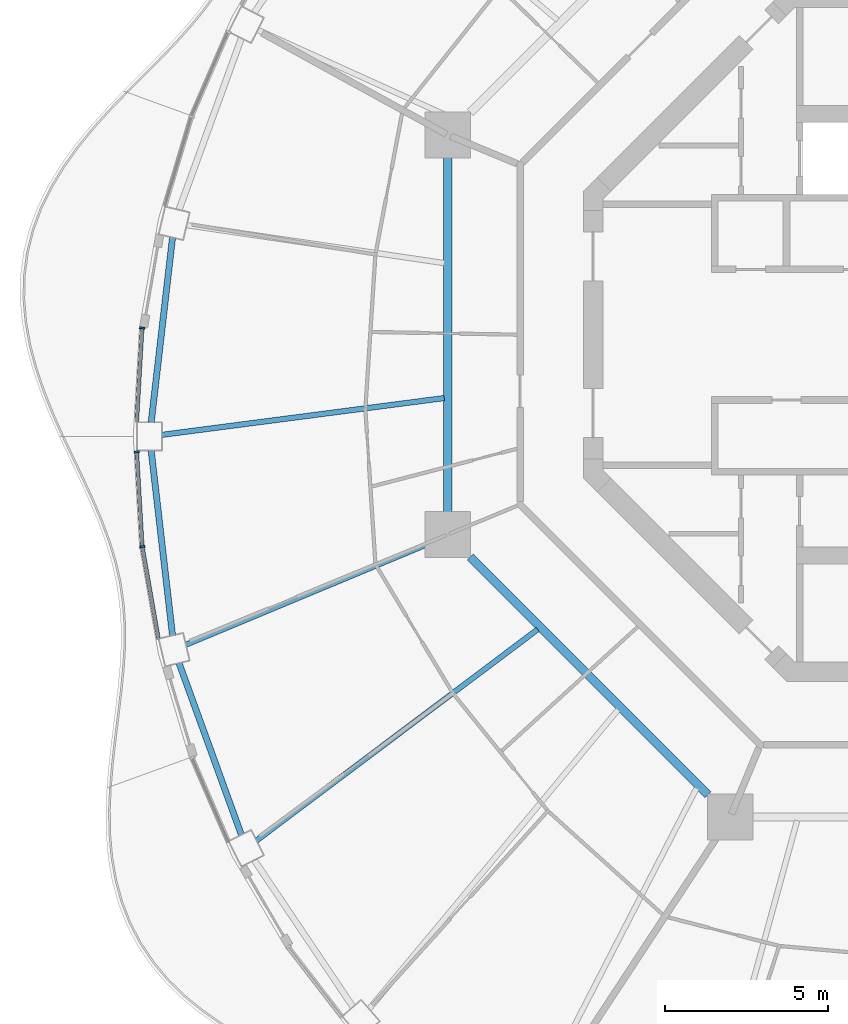
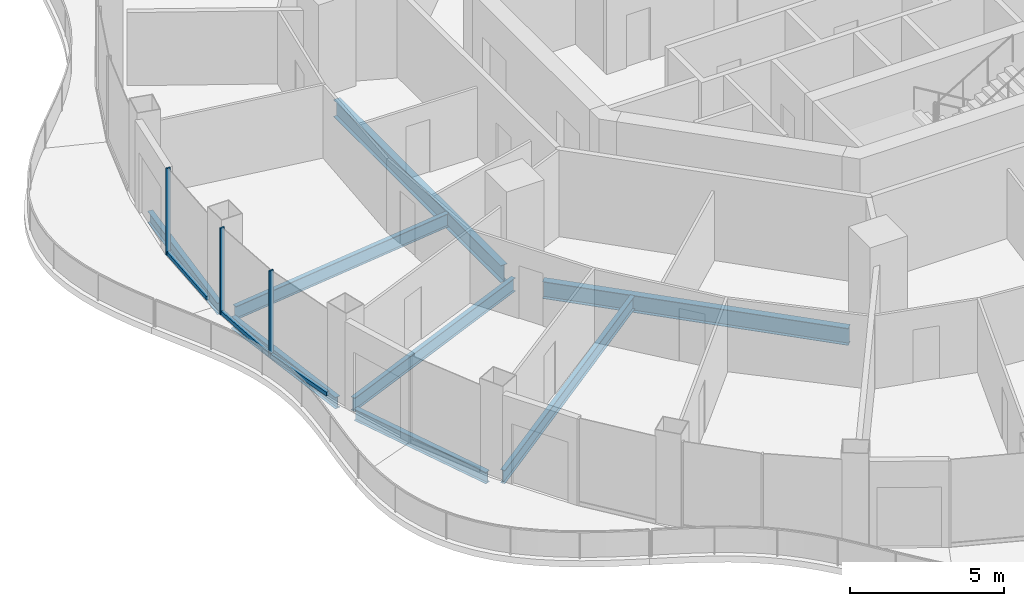
# One storey, part 3 of 17: 8 beams, 6 members, 3 elements without a shape of their own.
"""IFC4 building model written with IfcOpenShell, lengths in metres."""

from ifc_helpers import new_model, si_unit, direction, frame, origin, origin_2d, place, context, subcontext, project, spatial, rectangle, i_section, extrude, material, layer, layer_set, material_profile, profile_set, type_object, element, aggregate, save


model = new_model("IFC4")

# Units and contexts
model_context = context("Model", 3, precision=1e-05, world=origin(), true_north=direction((0.0, 1.0)))
body_context = subcontext(model_context, "Body", "Model", "MODEL_VIEW")
ifc_project = project(units=[si_unit("LENGTHUNIT", "METRE"), si_unit("AREAUNIT", "SQUARE_METRE"), si_unit("VOLUMEUNIT", "CUBIC_METRE"), si_unit("PLANEANGLEUNIT", "RADIAN"), si_unit("MASSUNIT", "GRAM", prefix="KILO")], contexts=[model_context])

# Site, building, storey
site_placement = place(None, origin())
site = spatial("IfcSite", under=ifc_project, at=site_placement, CompositionType="ELEMENT")
building_placement = place(site_placement, origin())
building = spatial("IfcBuilding", under=site, at=building_placement, Name="Nagisa Residences", CompositionType="ELEMENT")
storey_placement = place(building_placement, frame((0.0, 0.0, 269.60009765625)))
storey = spatial("IfcBuildingStorey", under=building, at=storey_placement, Name="L68", CompositionType="ELEMENT", Elevation=269.60009765625)

# Curtain wall, member
ifc_material_1 = material(Name="Concrete-coloured aluminium curtain wall system", Category="concrete")
ifc_layer = layer(ifc_material_1, 0.159912109375)
ifc_layer_set = layer_set([ifc_layer], Name="CW1 CURTAIN WALL")
curtain_wall_type = type_object("IfcCurtainWallType", Name="CW1 CURTAIN WALL", PredefinedType="NOTDEFINED", material=ifc_layer_set)
curtain_wall_1_placement = place(storey_placement, origin())
curtain_wall_1 = element("IfcCurtainWall", 1, at=curtain_wall_1_placement, inside=storey, type_object=curtain_wall_type, Name="cw:CW1:L68:23", PredefinedType="NOTDEFINED")
ifc_material_2 = material(Name="Concrete-coloured aluminium", Category="concrete")
ifc_material_profile_1 = material_profile(ifc_material_2, rectangle(XDim=0.159912109375, YDim=0.06005859375, at=origin_2d()), Name="CW1 MULLION 160x60")
ifc_profile_set_1 = profile_set([ifc_material_profile_1], Name="Concrete-coloured aluminium")
member_type_1 = type_object("IfcMemberType", Name="CW1 MULLION 160x60", PredefinedType="MULLION", material=ifc_profile_set_1)
member_1_placement = place(storey_placement, frame((-24.1484375, 0.20751953125, 0.0), z_axis=(0.0, 0.0, 1.0), x_axis=(0.998345305184, -0.057503492216, 0.0)))
member_1 = element("IfcMember", 2, at=member_1_placement, type_object=member_type_1, Name="CW1 mullion", PredefinedType="MULLION", context=body_context, shape_type="SweptSolid", body=[
    extrude(rectangle(XDim=0.159912109375, YDim=0.06005859375, at=origin_2d()), origin(), (0.0, 0.0, 1.0), 3.43994140625),
])

curtain_wall_2_placement = place(storey_placement, origin())
curtain_wall_2 = element("IfcCurtainWall", 3, at=curtain_wall_2_placement, inside=storey, type_object=curtain_wall_type, Name="cw:CW1:L68:24", PredefinedType="NOTDEFINED")
member_2_placement = place(storey_placement, frame((-24.3125, -3.59228515625, 0.0), z_axis=(0.0, 0.0, 1.0), x_axis=(0.998345305184, 0.057503492216, 0.0)))
member_2 = element("IfcMember", 4, at=member_2_placement, type_object=member_type_1, Name="CW1 mullion", PredefinedType="MULLION", context=body_context, shape_type="SweptSolid", body=[
    extrude(rectangle(XDim=0.159912109375, YDim=0.06005859375, at=origin_2d()), origin(), (0.0, 0.0, 1.0), 3.43994140625),
])

curtain_wall_3_placement = place(storey_placement, origin())
curtain_wall_3 = element("IfcCurtainWall", 5, at=curtain_wall_3_placement, inside=storey, type_object=curtain_wall_type, Name="cw:CW1:L68:25", PredefinedType="NOTDEFINED")
member_3_placement = place(storey_placement, frame((-24.142578125, -6.4931640625, 0.0), z_axis=(0.0, 0.0, 1.0), x_axis=(0.985063604377, 0.172190868898, 0.0)))
member_3 = element("IfcMember", 6, at=member_3_placement, type_object=member_type_1, Name="CW1 mullion", PredefinedType="MULLION", context=body_context, shape_type="SweptSolid", body=[
    extrude(rectangle(XDim=0.159912109375, YDim=0.06005859375, at=origin_2d()), origin(), (0.0, 0.0, 1.0), 3.43994140625),
])

# Member
ifc_material_3 = material(Name="Concrete-coloured aluminium", Category="concrete")
ifc_material_profile_2 = material_profile(ifc_material_3, rectangle(XDim=0.1201171875, YDim=0.14990234375, at=origin_2d()), Name="CW1 TRANSOM 120x150")
ifc_profile_set_2 = profile_set([ifc_material_profile_2], Name="Concrete-coloured aluminium")
member_type_2 = type_object("IfcMemberType", Name="CW1 TRANSOM 120x150", PredefinedType="USERDEFINED", material=ifc_profile_set_2)
member_4_placement = place(storey_placement, frame((-24.146728515625, 0.237548828125, 0.074951171875), z_axis=(-0.057445660401, -0.998348634547, 0.0), x_axis=(0.998348634547, -0.057445660401, 0.0)))
member_4 = element("IfcMember", 7, at=member_4_placement, type_object=member_type_2, Name="CW1 transom", ObjectType="TRANSOM", PredefinedType="USERDEFINED", context=body_context, shape_type="SweptSolid", body=[
    extrude(rectangle(XDim=0.1201171875, YDim=0.14990234375, at=origin_2d()), origin(), (0.0, 0.0, 1.0), 2.91552734375),
])

aggregate(curtain_wall_1, [member_1, member_4])

member_5_placement = place(storey_placement, frame((-24.314208984375, -3.562255859375, 0.074951171875), z_axis=(0.057445660401, -0.998348634547, 0.0), x_axis=(0.998348634547, 0.057445660401, 0.0)))
member_5 = element("IfcMember", 8, at=member_5_placement, type_object=member_type_2, Name="CW1 transom", ObjectType="TRANSOM", PredefinedType="USERDEFINED", context=body_context, shape_type="SweptSolid", body=[
    extrude(rectangle(XDim=0.1201171875, YDim=0.14990234375, at=origin_2d()), origin(), (0.0, 0.0, 1.0), 2.91552734375),
])

aggregate(curtain_wall_2, [member_2, member_5])

member_6_placement = place(storey_placement, frame((-24.147705078125, -6.463623046875, 0.074951171875), z_axis=(0.172182411767, -0.985065082661, 0.0), x_axis=(0.985065082661, 0.172182411767, 0.0)))
member_6 = element("IfcMember", 9, at=member_6_placement, type_object=member_type_2, Name="CW1 transom", ObjectType="TRANSOM", PredefinedType="USERDEFINED", context=body_context, shape_type="SweptSolid", body=[
    extrude(rectangle(XDim=0.1201171875, YDim=0.14990234375, at=origin_2d()), origin(), (0.0, 0.0, 1.0), 2.902587890625),
])

aggregate(curtain_wall_3, [member_3, member_6])

# Beams
ifc_material_4 = material(Name="Steel ASTM A572 Gr 50", Category="steel")
ifc_material_profile_3 = material_profile(ifc_material_4, i_section(OverallWidth=0.2529296875, OverallDepth=0.677978515625, WebThickness=0.01171875, FlangeThickness=0.016357421875, at=origin_2d()), Name="W690x125")
ifc_profile_set_3 = profile_set([ifc_material_profile_3], Name="Steel ASTM A572 Gr 50")
beam_type_1 = type_object("IfcBeamType", Name="Inner ring beam W690x125", PredefinedType="BEAM", material=ifc_profile_set_3)
beam_1_placement = place(storey_placement, frame((-14.781982421875, 5.44287109375, -0.59912109375), z_axis=(0.0, -1.0, 0.0), x_axis=(1.0, 0.0, 0.0)))
element("IfcBeam", 10, at=beam_1_placement, inside=storey, type_object=beam_type_1, Name="beam:L68:ib4", PredefinedType="BEAM", context=body_context, shape_type="SweptSolid", body=[
    extrude(i_section(OverallWidth=0.2529296875, OverallDepth=0.677978515625, WebThickness=0.01171875, FlangeThickness=0.016357421875, at=origin_2d()), origin(), (0.0, 0.0, 1.0), 10.8857421875),
])
beam_2_placement = place(storey_placement, frame((-14.09619140625, -6.808837890625, -0.59912109375), z_axis=(0.707106781187, -0.707106781187, 0.0), x_axis=(0.707106781187, 0.707106781187, 0.0)))
element("IfcBeam", 11, at=beam_2_placement, inside=storey, type_object=beam_type_1, Name="beam:L68:ib5", PredefinedType="BEAM", context=body_context, shape_type="SweptSolid", body=[
    extrude(i_section(OverallWidth=0.2529296875, OverallDepth=0.677978515625, WebThickness=0.01171875, FlangeThickness=0.016357421875, at=origin_2d()), origin(), (0.0, 0.0, 1.0), 10.305908203125),
])
ifc_material_5 = material(Name="Steel ASTM A572 Gr 50", Category="steel")
ifc_material_profile_4 = material_profile(ifc_material_5, i_section(OverallWidth=0.18994140625, OverallDepth=0.45703125, WebThickness=0.009033203125, FlangeThickness=0.014404296875, at=origin_2d()), Name="W460x74")
ifc_profile_set_4 = profile_set([ifc_material_profile_4], Name="Steel ASTM A572 Gr 50")
beam_type_2 = type_object("IfcBeamType", Name="Perimeter ring beam W460x74", PredefinedType="BEAM", material=ifc_profile_set_4)
for number, where, z_axis, x_axis, name in (
    (12, (-23.2158203125, 2.984619140625, -0.488525390625), (-0.114635468623, -0.993407624962, 0.0), (0.993407624962, -0.114635468623, 0.0), "beam:L68:pb12"),
    (13, (-23.870361328125, -3.5478515625, -0.488525390625), (0.114635468623, -0.993407624962, 0.0), (0.993407624962, 0.114635468623, 0.0), "beam:L68:pb13"),
):
    element("IfcBeam", number, at=place(storey_placement, frame(where, z_axis=z_axis, x_axis=x_axis)), inside=storey, type_object=beam_type_2, Name=name, PredefinedType="BEAM", context=body_context, shape_type="SweptSolid", body=[
        extrude(i_section(OverallWidth=0.18994140625, OverallDepth=0.45703125, WebThickness=0.009033203125, FlangeThickness=0.014404296875, at=origin_2d()), origin(), (0.0, 0.0, 1.0), 5.709716796875),
    ])
beam_3_placement = place(storey_placement, frame((-23.0185546875, -10.057373046875, -0.488525390625), z_axis=(0.341250304478, -0.9399724622, 0.0), x_axis=(0.9399724622, 0.341250304478, 0.0)))
element("IfcBeam", 14, at=beam_3_placement, inside=storey, type_object=beam_type_2, Name="beam:L68:pb14", PredefinedType="BEAM", context=body_context, shape_type="SweptSolid", body=[
    extrude(i_section(OverallWidth=0.18994140625, OverallDepth=0.45703125, WebThickness=0.009033203125, FlangeThickness=0.014404296875, at=origin_2d()), origin(), (0.0, 0.0, 1.0), 5.609619140625),
])
ifc_material_6 = material(Name="Steel ASTM A572 Gr 50", Category="steel")
ifc_material_profile_5 = material_profile(ifc_material_6, i_section(OverallWidth=0.166015625, OverallDepth=0.534912109375, WebThickness=0.01025390625, FlangeThickness=0.0166015625, at=origin_2d()), Name="W530x85")
ifc_profile_set_5 = profile_set([ifc_material_profile_5], Name="Steel ASTM A572 Gr 50")
beam_type_3 = type_object("IfcBeamType", Name="Radial beam W530x85", PredefinedType="BEAM", material=ifc_profile_set_5)
beam_4_placement = place(storey_placement, frame((-23.539794921875, -3.068115234375, -0.527587890625), z_axis=(0.991614605292, 0.129230315994, 0.0), x_axis=(-0.129230315994, 0.991614605292, 0.0)))
element("IfcBeam", 15, at=beam_4_placement, inside=storey, type_object=beam_type_3, Name="beam:L68:rb13", PredefinedType="BEAM", context=body_context, shape_type="SweptSolid", body=[
    extrude(i_section(OverallWidth=0.166015625, OverallDepth=0.534912109375, WebThickness=0.01025390625, FlangeThickness=0.0166015625, at=origin_2d()), origin(), (0.0, 0.0, 1.0), 8.724365234375),
])
beam_5_placement = place(storey_placement, frame((-22.810546875, -9.502197265625, -0.527587890625), z_axis=(0.92310713136, 0.384542876716, 0.0), x_axis=(-0.384542876716, 0.92310713136, 0.0)))
element("IfcBeam", 16, at=beam_5_placement, inside=storey, type_object=beam_type_3, Name="beam:L68:rb14", PredefinedType="BEAM", context=body_context, shape_type="SweptSolid", body=[
    extrude(i_section(OverallWidth=0.166015625, OverallDepth=0.534912109375, WebThickness=0.01025390625, FlangeThickness=0.0166015625, at=origin_2d()), origin(), (0.0, 0.0, 1.0), 8.607177734375),
])
beam_6_placement = place(storey_placement, frame((-20.647705078125, -15.505859375, -0.527587890625), z_axis=(0.799616749037, 0.600510661571, 0.0), x_axis=(-0.600510661571, 0.799616749037, 0.0)))
element("IfcBeam", 17, at=beam_6_placement, inside=storey, type_object=beam_type_3, Name="beam:L68:rb15", PredefinedType="BEAM", context=body_context, shape_type="SweptSolid", body=[
    extrude(i_section(OverallWidth=0.166015625, OverallDepth=0.534912109375, WebThickness=0.01025390625, FlangeThickness=0.0166015625, at=origin_2d()), origin(), (0.0, 0.0, 1.0), 10.782958984375),
])

save(model, "model.ifc")
